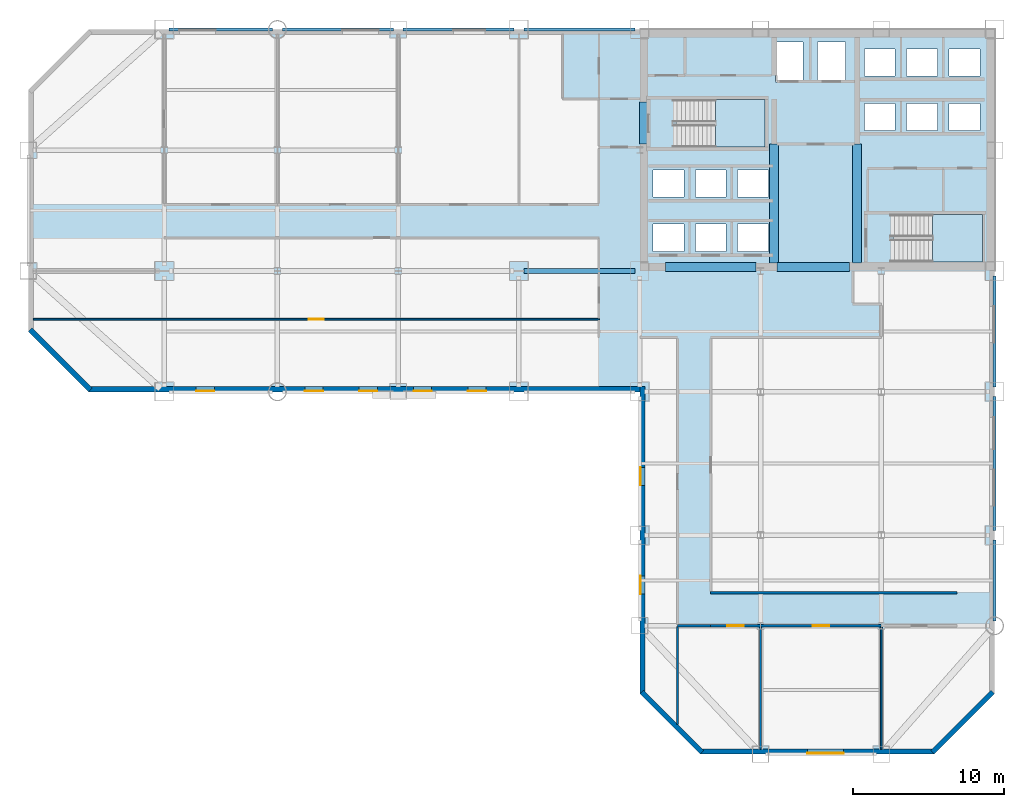
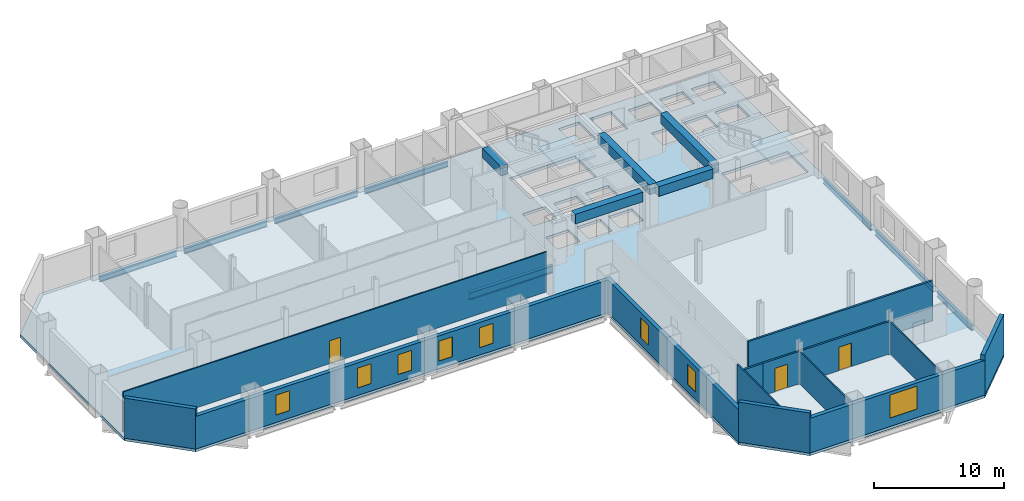
# One storey, part 4 of 9: 14 walls, 13 beams, 8 windows, 3 doors, 3 slabs, 11 openings, 2 elements without a shape of their own.
"""IFC4 building model written with IfcOpenShell, lengths in metres."""

from ifc_helpers import new_model, si_unit, direction, frame, frame_2d, origin, origin_2d, place, context, subcontext, project, spatial, polyline, rectangle, i_section, outline, extrude, material, layer, layer_set, material_profile, profile_set, type_object, element, fill, aggregate, save


model = new_model("IFC4")

# Units and contexts
model_context = context("Model", 3, precision=1e-05, world=origin(), true_north=direction((0.0, 1.0)))
body_context = subcontext(model_context, "Body", "Model", "MODEL_VIEW")
ifc_project = project(units=[si_unit("LENGTHUNIT", "METRE"), si_unit("AREAUNIT", "SQUARE_METRE"), si_unit("VOLUMEUNIT", "CUBIC_METRE"), si_unit("PLANEANGLEUNIT", "RADIAN"), si_unit("MASSUNIT", "GRAM", prefix="KILO")], contexts=[model_context])

# Site, building, storey
site_placement = place(None, origin())
site = spatial("IfcSite", under=ifc_project, at=site_placement, CompositionType="ELEMENT")
building_placement = place(site_placement, origin())
building = spatial("IfcBuilding", under=site, at=building_placement, Name="Qianrong Seaharbour Tower", CompositionType="ELEMENT")
storey_placement = place(building_placement, frame((0.0, 0.0, 48.199951171875)))
storey = spatial("IfcBuildingStorey", under=building, at=storey_placement, Name="L11", CompositionType="ELEMENT", Elevation=48.199951171875)

# Beams
ifc_material_1 = material(Name="Structural steel SN490B", Category="steel")
ifc_material_profile_1 = material_profile(ifc_material_1, i_section(OverallWidth=0.300048828125, OverallDepth=0.699951171875, WebThickness=0.012939453125, FlangeThickness=0.02392578125, FilletRadius=0.02587890625, at=origin_2d()), Name="H700x300x13x24")
ifc_profile_set_1 = profile_set([ifc_material_profile_1], Name="Structural steel SN490B")
beam_type_1 = type_object("IfcBeamType", Name="BM-G-700", PredefinedType="BEAM", material=ifc_profile_set_1)
beam_1_placement = place(storey_placement, frame((32.820068359375, 36.0, -0.599853515625), z_axis=(1.0, 0.0, 0.0), x_axis=(0.0, 1.0, 0.0)))
element("IfcBeam", 1, at=beam_1_placement, inside=storey, type_object=beam_type_1, Name="L11 Primary Girder GF G5-G6", PredefinedType="BEAM", context=body_context, shape_type="SweptSolid", body=[
    extrude(i_section(OverallWidth=0.300048828125, OverallDepth=0.699951171875, WebThickness=0.012939453125, FlangeThickness=0.02392578125, FilletRadius=0.02587890625, at=origin_2d()), origin(), (0.0, 0.0, 1.0), 7.35986328125),
])
ifc_material_2 = material(Name="Concrete C70/85", Category="concrete")
ifc_material_profile_2 = material_profile(ifc_material_2, rectangle(XDim=0.60009765625, YDim=0.89990234375, at=origin_2d()), Name="RC600x900")
ifc_profile_set_2 = profile_set([ifc_material_profile_2], Name="Concrete C70/85")
beam_type_2 = type_object("IfcBeamType", Name="BM-LINTEL-900", PredefinedType="LINTEL", material=ifc_profile_set_2)
beam_2_placement = place(storey_placement, frame((40.77001953125, 44.39990234375, 3.300048828125), z_axis=(0.0, 1.0, 0.0), x_axis=(-1.0, 0.0, 0.0)))
element("IfcBeam", 2, at=beam_2_placement, inside=storey, type_object=beam_type_2, Name="L11 Core Coupling Lintel Beam West", PredefinedType="LINTEL", context=body_context, shape_type="SweptSolid", body=[
    extrude(rectangle(XDim=0.60009765625, YDim=0.89990234375, at=origin_2d()), origin(), (0.0, 0.0, 1.0), 2.800048828125),
])
beam_3_placement = place(storey_placement, frame((42.199951171875, 36.27001953125, 3.300048828125), z_axis=(1.0, 0.0, 0.0), x_axis=(0.0, 1.0, 0.0)))
element("IfcBeam", 3, at=beam_3_placement, inside=storey, type_object=beam_type_2, Name="L11 Core Coupling Lintel Beam CBW", PredefinedType="LINTEL", context=body_context, shape_type="SweptSolid", body=[
    extrude(rectangle(XDim=0.60009765625, YDim=0.89990234375, at=origin_2d()), origin(), (0.0, 0.0, 1.0), 6.0),
])
beam_4_placement = place(storey_placement, frame((49.60009765625, 36.27001953125, 3.300048828125), z_axis=(1.0, 0.0, 0.0), x_axis=(0.0, 1.0, 0.0)))
element("IfcBeam", 4, at=beam_4_placement, inside=storey, type_object=beam_type_2, Name="L11 Core Coupling Lintel Beam CBC", PredefinedType="LINTEL", context=body_context, shape_type="SweptSolid", body=[
    extrude(rectangle(XDim=0.60009765625, YDim=0.89990234375, at=origin_2d()), origin(), (0.0, 0.0, 1.0), 4.7998046875),
])
for number, where, z_axis, x_axis, name in (
    (5, (49.39990234375, 36.5400390625, 3.300048828125), (0.0, 1.0, 0.0), (-1.0, 0.0, 0.0), "L11 Internal Core Coupling Beam IW1"),
    (6, (54.89990234375, 36.5400390625, 3.300048828125), (0.0, 1.0, 0.0), (-1.0, 0.0, 0.0), "L11 Internal Core Coupling Beam IW2"),
):
    element("IfcBeam", number, at=place(storey_placement, frame(where, z_axis=z_axis, x_axis=x_axis)), inside=storey, type_object=beam_type_2, Name=name, PredefinedType="LINTEL", context=body_context, shape_type="SweptSolid", body=[
        extrude(rectangle(XDim=0.60009765625, YDim=0.89990234375, at=origin_2d()), origin(), (0.0, 0.0, 1.0), 7.85986328125),
    ])
ifc_material_profile_3 = material_profile(ifc_material_1, i_section(OverallWidth=0.199951171875, OverallDepth=0.5, WebThickness=0.010009765625, FlangeThickness=0.01611328125, FilletRadius=0.02001953125, at=origin_2d()), Name="H500x200x10x16")
ifc_profile_set_3 = profile_set([ifc_material_profile_3], Name="Structural steel SN490B")
beam_type_3 = type_object("IfcBeamType", Name="BM-SP-500", PredefinedType="SPANDREL", material=ifc_profile_set_3)
beam_5_placement = place(storey_placement, frame((9.320068359375, 52.0, -0.5), z_axis=(1.0, 0.0, 0.0), x_axis=(0.0, 1.0, 0.0)))
element("IfcBeam", 7, at=beam_5_placement, inside=storey, type_object=beam_type_3, Name="L11 Spandrel Girder GH G2-G3", PredefinedType="SPANDREL", context=body_context, shape_type="SweptSolid", body=[
    extrude(i_section(OverallWidth=0.199951171875, OverallDepth=0.5, WebThickness=0.010009765625, FlangeThickness=0.01611328125, FilletRadius=0.02001953125, at=origin_2d()), origin(), (0.0, 0.0, 1.0), 6.85986328125),
])
for number, where, z_axis, x_axis, name in (
    (8, (16.820068359375, 52.0, -0.5), (1.0, 0.0, 0.0), (0.0, 1.0, 0.0), "L11 Spandrel Girder GH G3-G4"),
    (9, (24.820068359375, 52.0, -0.5), (1.0, 0.0, 0.0), (0.0, 1.0, 0.0), "L11 Spandrel Girder GH G4-G5"),
    (10, (32.820068359375, 52.0, -0.5), (1.0, 0.0, 0.0), (0.0, 1.0, 0.0), "L11 Spandrel Girder GH G5-G6"),
):
    element("IfcBeam", number, at=place(storey_placement, frame(where, z_axis=z_axis, x_axis=x_axis)), inside=storey, type_object=beam_type_3, Name=name, PredefinedType="SPANDREL", context=body_context, shape_type="SweptSolid", body=[
        extrude(i_section(OverallWidth=0.199951171875, OverallDepth=0.5, WebThickness=0.010009765625, FlangeThickness=0.01611328125, FilletRadius=0.02001953125, at=origin_2d()), origin(), (0.0, 0.0, 1.0), 7.35986328125),
    ])
beam_6_placement = place(storey_placement, frame((64.0, 12.820068359375, -0.5), z_axis=(0.0, 1.0, 0.0), x_axis=(-1.0, 0.0, 0.0)))
element("IfcBeam", 11, at=beam_6_placement, inside=storey, type_object=beam_type_3, Name="L11 Spandrel Girder G9 GC-GD", PredefinedType="SPANDREL", context=body_context, shape_type="SweptSolid", body=[
    extrude(i_section(OverallWidth=0.199951171875, OverallDepth=0.5, WebThickness=0.010009765625, FlangeThickness=0.01611328125, FilletRadius=0.02001953125, at=origin_2d()), origin(), (0.0, 0.0, 1.0), 5.35986328125),
])
beam_7_placement = place(storey_placement, frame((64.0, 18.820068359375, -0.5), z_axis=(0.0, 1.0, 0.0), x_axis=(-1.0, 0.0, 0.0)))
element("IfcBeam", 12, at=beam_7_placement, inside=storey, type_object=beam_type_3, Name="L11 Spandrel Girder G9 GD-GE", PredefinedType="SPANDREL", context=body_context, shape_type="SweptSolid", body=[
    extrude(i_section(OverallWidth=0.199951171875, OverallDepth=0.5, WebThickness=0.010009765625, FlangeThickness=0.01611328125, FilletRadius=0.02001953125, at=origin_2d()), origin(), (0.0, 0.0, 1.0), 8.85986328125),
])
beam_8_placement = place(storey_placement, frame((64.0, 28.320068359375, -0.5), z_axis=(0.0, 1.0, 0.0), x_axis=(-1.0, 0.0, 0.0)))
element("IfcBeam", 13, at=beam_8_placement, inside=storey, type_object=beam_type_3, Name="L11 Spandrel Girder G9 GE-GF", PredefinedType="SPANDREL", context=body_context, shape_type="SweptSolid", body=[
    extrude(i_section(OverallWidth=0.199951171875, OverallDepth=0.5, WebThickness=0.010009765625, FlangeThickness=0.01611328125, FilletRadius=0.02001953125, at=origin_2d()), origin(), (0.0, 0.0, 1.0), 7.35986328125),
])

# Stair, slab
ifc_material_3 = material(Name="Concrete C50/60", Category="concrete")
stair_type = type_object("IfcStairType", Name="STAIR-DOGLEG-1500-R22", PredefinedType="HALF_TURN_STAIR", material=ifc_material_3)
stair_1_placement = place(storey_placement, origin())
stair_1 = element("IfcStair", 14, at=stair_1_placement, inside=storey, type_object=stair_type, Name="L11 Protected Escape Stair ST-1", PredefinedType="HALF_TURN_STAIR")
ifc_layer_1 = layer(ifc_material_3, 0.199951171875)
ifc_layer_set_1 = layer_set([ifc_layer_1], Name="Concrete C50/60")
slab_type_1 = type_object("IfcSlabType", Name="SLAB-STAIR-LANDING-200", PredefinedType="LANDING", material=ifc_layer_set_1)
slab_1_placement = place(storey_placement, frame((0.0, 0.0, 1.800048828125)))
slab_1 = element("IfcSlab", 15, at=slab_1_placement, type_object=slab_type_1, Name="ST-1 landing 1", PredefinedType="LANDING", context=body_context, shape_type="SweptSolid", body=[
    extrude(outline(polyline([(45.5, 44.199951171875), (48.800048828125, 44.199951171875), (48.800048828125, 47.35009765625), (45.5, 47.35009765625), (45.5, 44.199951171875)])), origin(), (0.0, 0.0, 1.0), 0.199951171875),
])
aggregate(stair_1, [slab_1])

stair_2_placement = place(storey_placement, origin())
stair_2 = element("IfcStair", 16, at=stair_2_placement, inside=storey, type_object=stair_type, Name="L11 Protected Escape Stair ST-2", PredefinedType="HALF_TURN_STAIR")
slab_2_placement = place(storey_placement, frame((0.0, 0.0, 1.800048828125)))
slab_2 = element("IfcSlab", 17, at=slab_2_placement, type_object=slab_type_1, Name="ST-2 landing 1", PredefinedType="LANDING", context=body_context, shape_type="SweptSolid", body=[
    extrude(outline(polyline([(59.89990234375, 36.60009765625), (63.199951171875, 36.60009765625), (63.199951171875, 39.75), (59.89990234375, 39.75), (59.89990234375, 36.60009765625)])), origin(), (0.0, 0.0, 1.0), 0.199951171875),
])
aggregate(stair_2, [slab_2])

# Slab
ifc_layer_2 = layer(ifc_material_3, 0.25)
ifc_layer_set_2 = layer_set([ifc_layer_2], Name="Concrete C50/60")
slab_type_2 = type_object("IfcSlabType", Name="SLAB-Z1-250", PredefinedType="FLOOR", material=ifc_layer_set_2)
slab_3_placement = place(storey_placement, frame((0.0, 0.0, -0.25)))
element("IfcSlab", 18, at=slab_3_placement, inside=storey, type_object=slab_type_2, Name="L11 Structural Floor Slab", PredefinedType="FLOOR", context=body_context, shape_type="SweptSolid", body=[
    extrude(outline(polyline([(44.5, 4.0), (60.0, 4.0), (64.0, 8.0), (64.0, 52.0), (4.0, 52.0), (0.0, 48.0), (0.0, 32.0), (4.0, 28.0), (40.5, 28.0), (40.5, 8.0), (44.5, 4.0)]), holes=[polyline([(42.93994140625, 44.199951171875), (42.93994140625, 47.35009765625), (48.800048828125, 47.35009765625), (48.800048828125, 44.199951171875), (42.93994140625, 44.199951171875)]), polyline([(57.340087890625, 36.60009765625), (57.340087890625, 39.75), (63.199951171875, 39.75), (63.199951171875, 36.60009765625), (57.340087890625, 36.60009765625)]), polyline([(49.47998046875, 48.530029296875), (49.47998046875, 51.169921875), (51.320068359375, 51.169921875), (51.320068359375, 48.530029296875), (49.47998046875, 48.530029296875)]), polyline([(52.280029296875, 48.530029296875), (52.280029296875, 51.169921875), (54.1201171875, 51.169921875), (54.1201171875, 48.530029296875), (52.280029296875, 48.530029296875)]), polyline([(41.3798828125, 37.300048828125), (41.3798828125, 39.10009765625), (43.419921875, 39.10009765625), (43.419921875, 37.300048828125), (41.3798828125, 37.300048828125)]), polyline([(44.179931640625, 37.300048828125), (44.179931640625, 39.10009765625), (46.219970703125, 39.10009765625), (46.219970703125, 37.300048828125), (44.179931640625, 37.300048828125)]), polyline([(46.97998046875, 37.300048828125), (46.97998046875, 39.10009765625), (49.02001953125, 39.10009765625), (49.02001953125, 37.300048828125), (46.97998046875, 37.300048828125)]), polyline([(41.3798828125, 40.89990234375), (41.3798828125, 42.699951171875), (43.419921875, 42.699951171875), (43.419921875, 40.89990234375), (41.3798828125, 40.89990234375)]), polyline([(44.179931640625, 40.89990234375), (44.179931640625, 42.699951171875), (46.219970703125, 42.699951171875), (46.219970703125, 40.89990234375), (44.179931640625, 40.89990234375)]), polyline([(46.97998046875, 40.89990234375), (46.97998046875, 42.699951171875), (49.02001953125, 42.699951171875), (49.02001953125, 40.89990234375), (46.97998046875, 40.89990234375)]), polyline([(55.3798828125, 45.300048828125), (55.3798828125, 47.10009765625), (57.419921875, 47.10009765625), (57.419921875, 45.300048828125), (55.3798828125, 45.300048828125)]), polyline([(58.179931640625, 45.300048828125), (58.179931640625, 47.10009765625), (60.219970703125, 47.10009765625), (60.219970703125, 45.300048828125), (58.179931640625, 45.300048828125)]), polyline([(60.97998046875, 45.300048828125), (60.97998046875, 47.10009765625), (63.02001953125, 47.10009765625), (63.02001953125, 45.300048828125), (60.97998046875, 45.300048828125)]), polyline([(55.3798828125, 48.89990234375), (55.3798828125, 50.699951171875), (57.419921875, 50.699951171875), (57.419921875, 48.89990234375), (55.3798828125, 48.89990234375)]), polyline([(58.179931640625, 48.89990234375), (58.179931640625, 50.699951171875), (60.219970703125, 50.699951171875), (60.219970703125, 48.89990234375), (58.179931640625, 48.89990234375)]), polyline([(60.97998046875, 48.89990234375), (60.97998046875, 50.699951171875), (63.02001953125, 50.699951171875), (63.02001953125, 48.89990234375), (60.97998046875, 48.89990234375)])]), origin(), (0.0, 0.0, 1.0), 0.25),
])

# Walls
ifc_material_4 = material(Name="Fire-rated acoustic gypsum board partition")
ifc_layer_3 = layer(ifc_material_4, 0.1650390625)
ifc_layer_set_3 = layer_set([ifc_layer_3], Name="Fire-rated acoustic gypsum board partition")
wall_type_1 = type_object("IfcWallType", Name="WALL-CORR-PART-165", PredefinedType="PARTITIONING", material=ifc_layer_set_3)
wall_1_placement = place(storey_placement, frame((45.199951171875, 12.5, 0.0), z_axis=(0.0, 0.0, 1.0), x_axis=(-1.0, 0.0, 0.0)))
element("IfcWall", 19, at=wall_1_placement, inside=storey, type_object=wall_type_1, Name="L11 Interior Partition Wall 031", PredefinedType="PARTITIONING", context=body_context, shape_type="SweptSolid", body=[
    extrude(rectangle(XDim=2.199951171875, YDim=0.1650390625, at=frame_2d((1.10009765625, 0.0))), origin(), (0.0, 0.0, 1.0), 3.0419921875),
])
wall_2_placement = place(storey_placement, frame((45.199951171875, 14.699951171875, 0.0), z_axis=(0.0, 0.0, 1.0), x_axis=(1.0, 0.0, 0.0)))
element("IfcWall", 20, at=wall_2_placement, inside=storey, type_object=wall_type_1, Name="L11 Interior Partition Wall 032", PredefinedType="PARTITIONING", context=body_context, shape_type="SweptSolid", body=[
    extrude(rectangle(XDim=16.300048828125, YDim=0.1650390625, at=frame_2d((8.14990234375, 0.0))), origin(), (0.0, 0.0, 1.0), 3.75),
])

# Wall, opening, door
wall_3_placement = place(storey_placement, frame((48.5, 12.5, 0.0), z_axis=(0.0, 0.0, 1.0), x_axis=(-1.0, 0.0, 0.0)))
wall_3 = element("IfcWall", 21, at=wall_3_placement, inside=storey, type_object=wall_type_1, Name="L11 Interior Partition Wall 033", PredefinedType="PARTITIONING", context=body_context, shape_type="SweptSolid", body=[
    extrude(rectangle(XDim=3.300048828125, YDim=0.1650390625, at=frame_2d((1.64990234375, 0.0))), origin(), (0.0, 0.0, 1.0), 3.0419921875),
])
opening_1_placement = place(wall_3_placement, frame((1.10009765625, 0.0, 0.0)))
opening_1 = element("IfcOpeningElement", 22, at=opening_1_placement, cuts=wall_3, Name="Opening DM-01", PredefinedType="OPENING", context=body_context, shape_type="SweptSolid", body=[
    extrude(rectangle(XDim=1.10009765625, YDim=2.199951171875, at=frame_2d((0.550048828125, 1.10009765625))), frame((0.0, 0.092529296875, 0.0), z_axis=(0.0, -1.0, 0.0), x_axis=(1.0, 0.0, 0.0)), (0.0, 0.0, 1.0), 0.18505859375),
])
ifc_material_5 = material(Name="Acoustic timber and galvanized steel fire door assembly", Category="steel")
door_type_1 = type_object("IfcDoorType", Name="DOOR-MEET-1100x2200", OperationType="NOTDEFINED", PredefinedType="DOOR", material=ifc_material_5)
door_1_placement = place(opening_1_placement, origin())
door_1 = element("IfcDoor", 23, at=door_1_placement, inside=storey, type_object=door_type_1, Name="L11 Maritime Seminar Room 1 Door", OperationType="SINGLE_SWING_RIGHT", OverallHeight=2.199951171875, OverallWidth=1.10009765625, PredefinedType="DOOR", context=body_context, shape_type="SweptSolid", body=[
    extrude(rectangle(XDim=1.10009765625, YDim=2.199951171875, at=frame_2d((0.550048828125, 1.10009765625))), frame((0.0, 0.02490234375, 0.0), z_axis=(0.0, -1.0, 0.0), x_axis=(1.0, 0.0, 0.0)), (0.0, 0.0, 1.0), 0.050048828125),
])
fill(opening_1, door_1)

wall_4_placement = place(storey_placement, frame((56.5, 12.5, 0.0), z_axis=(0.0, 0.0, 1.0), x_axis=(-1.0, 0.0, 0.0)))
wall_4 = element("IfcWall", 24, at=wall_4_placement, inside=storey, type_object=wall_type_1, Name="L11 Interior Partition Wall 034", PredefinedType="PARTITIONING", context=body_context, shape_type="SweptSolid", body=[
    extrude(rectangle(XDim=8.0, YDim=0.1650390625, at=frame_2d((4.0, 0.0))), origin(), (0.0, 0.0, 1.0), 3.0419921875),
])
opening_2_placement = place(wall_4_placement, frame((3.449951171875, 0.0, 0.0)))
opening_2 = element("IfcOpeningElement", 25, at=opening_2_placement, cuts=wall_4, Name="Opening DM-01", PredefinedType="OPENING", context=body_context, shape_type="SweptSolid", body=[
    extrude(rectangle(XDim=1.10009765625, YDim=2.199951171875, at=frame_2d((0.550048828125, 1.10009765625))), frame((0.0, 0.092529296875, 0.0), z_axis=(0.0, -1.0, 0.0), x_axis=(1.0, 0.0, 0.0)), (0.0, 0.0, 1.0), 0.18505859375),
])
door_2_placement = place(opening_2_placement, origin())
door_2 = element("IfcDoor", 26, at=door_2_placement, inside=storey, type_object=door_type_1, Name="L11 Meeting Room 2 Door", OperationType="SINGLE_SWING_LEFT", OverallHeight=2.199951171875, OverallWidth=1.10009765625, PredefinedType="DOOR", context=body_context, shape_type="SweptSolid", body=[
    extrude(rectangle(XDim=1.10009765625, YDim=2.199951171875, at=frame_2d((0.550048828125, 1.10009765625))), frame((0.0, 0.02490234375, 0.0), z_axis=(0.0, -1.0, 0.0), x_axis=(1.0, 0.0, 0.0)), (0.0, 0.0, 1.0), 0.050048828125),
])
fill(opening_2, door_2)

# Wall
ifc_material_6 = material(Name="Demountable aluminium-framed acoustic office partition", Category="aluminium")
ifc_layer_4 = layer(ifc_material_6, 0.110107421875)
ifc_layer_set_4 = layer_set([ifc_layer_4], Name="Demountable aluminium-framed acoustic office partition")
wall_type_2 = type_object("IfcWallType", Name="WALL-DEMOUNT-110", PredefinedType="MOVABLE", material=ifc_layer_set_4)
wall_5_placement = place(storey_placement, frame((43.0, 12.425537109375, 0.0), z_axis=(0.0, 0.0, 1.0), x_axis=(0.0, -1.0, 0.0)))
element("IfcWall", 27, at=wall_5_placement, inside=storey, type_object=wall_type_2, Name="L11 Interior Partition Wall 036", PredefinedType="MOVABLE", context=body_context, shape_type="SweptSolid", body=[
    extrude(rectangle(XDim=6.4560546875, YDim=0.110107421875, at=frame_2d((3.22802734375, 0.0))), origin(), (0.0, 0.0, 1.0), 3.75),
])

# Wall, opening, door
wall_6_placement = place(storey_placement, frame((0.33203125, 32.800048828125, 0.0), z_axis=(0.0, 0.0, 1.0), x_axis=(1.0, 0.0, 0.0)))
wall_6 = element("IfcWall", 28, at=wall_6_placement, inside=storey, type_object=wall_type_2, Name="L11 Interior Partition Wall 041", PredefinedType="MOVABLE", context=body_context, shape_type="SweptSolid", body=[
    extrude(rectangle(XDim=37.468017578125, YDim=0.110107421875, at=frame_2d((18.73388671875, 0.0))), origin(), (0.0, 0.0, 1.0), 3.75),
])
opening_3_placement = place(wall_6_placement, frame((18.23388671875, 0.0, 0.0)))
opening_3 = element("IfcOpeningElement", 29, at=opening_3_placement, cuts=wall_6, Name="Opening DO-01", PredefinedType="OPENING", context=body_context, shape_type="SweptSolid", body=[
    extrude(rectangle(XDim=1.0, YDim=2.14990234375, at=frame_2d((0.5, 1.074951171875))), frame((0.0, 0.06494140625, 0.0), z_axis=(0.0, -1.0, 0.0), x_axis=(1.0, 0.0, 0.0)), (0.0, 0.0, 1.0), 0.130126953125),
])
door_type_2 = type_object("IfcDoorType", Name="DOOR-OFFICE-1000x2150", OperationType="NOTDEFINED", PredefinedType="DOOR", material=ifc_material_5)
door_3_placement = place(opening_3_placement, origin())
door_3 = element("IfcDoor", 30, at=door_3_placement, inside=storey, type_object=door_type_2, Name="L11 Harbour Lecture Hall 1 Door", OperationType="SINGLE_SWING_LEFT", OverallHeight=2.14990234375, OverallWidth=1.0, PredefinedType="DOOR", context=body_context, shape_type="SweptSolid", body=[
    extrude(rectangle(XDim=1.0, YDim=2.14990234375, at=frame_2d((0.5, 1.074951171875))), frame((0.0, 0.02490234375, 0.0), z_axis=(0.0, -1.0, 0.0), x_axis=(1.0, 0.0, 0.0)), (0.0, 0.0, 1.0), 0.050048828125),
])
fill(opening_3, door_3)

# Walls
for number, where, z_axis, x_axis, name in (
    (31, (48.5, 12.425537109375, 0.0), (0.0, 0.0, 1.0), (0.0, -1.0, 0.0), "L11 Interior Partition Wall 043"),
    (32, (56.5, 12.425537109375, 0.0), (0.0, 0.0, 1.0), (0.0, -1.0, 0.0), "L11 Interior Partition Wall 044"),
):
    element("IfcWall", number, at=place(storey_placement, frame(where, z_axis=z_axis, x_axis=x_axis)), inside=storey, type_object=wall_type_2, Name=name, PredefinedType="MOVABLE", context=body_context, shape_type="SweptSolid", body=[
        extrude(rectangle(XDim=8.093505859375, YDim=0.110107421875, at=frame_2d((4.046875, 0.0))), origin(), (0.0, 0.0, 1.0), 3.0419921875),
    ])

# Wall, openings, windows
ifc_material_7 = material(Name="Unitised buff brick on Precast concrete C45/55", Category="masonry")
ifc_layer_5 = layer(ifc_material_7, 0.340087890625)
ifc_layer_set_5 = layer_set([ifc_layer_5], Name="Unitised buff brick on Precast concrete C45/55")
wall_type_3 = type_object("IfcWallType", Name="WALL-EXT-BRICK-BUFF-340", PredefinedType="SOLIDWALL", material=ifc_layer_set_5)
wall_7_placement = place(storey_placement, frame((40.669921875, 8.0, 0.0), z_axis=(0.0, 0.0, 1.0), x_axis=(0.0, 1.0, 0.0)))
wall_7 = element("IfcWall", 33, at=wall_7_placement, inside=storey, type_object=wall_type_3, Name="L11 Exterior Masonry Facade Wall REENTRANT_WEST", PredefinedType="SOLIDWALL", context=body_context, shape_type="SweptSolid", body=[
    extrude(rectangle(XDim=20.340087890625, YDim=0.340087890625, at=frame_2d((10.169921875, 0.0))), origin(), (0.0, 0.0, 1.0), 3.050048828125),
])
opening_4_placement = place(wall_7_placement, frame((6.60009765625, 0.0, 0.699951171875)))
opening_4 = element("IfcOpeningElement", 34, at=opening_4_placement, cuts=wall_7, Name="Opening WN-01", PredefinedType="OPENING", context=body_context, shape_type="SweptSolid", body=[
    extrude(rectangle(XDim=1.199951171875, YDim=1.85009765625, at=frame_2d((0.60009765625, 0.925048828125))), frame((0.0, 0.18017578125, 0.0), z_axis=(0.0, -1.0, 0.0), x_axis=(1.0, 0.0, 0.0)), (0.0, 0.0, 1.0), 0.360107421875),
])
opening_5_placement = place(wall_7_placement, frame((13.800048828125, 0.0, 0.699951171875)))
opening_5 = element("IfcOpeningElement", 35, at=opening_5_placement, cuts=wall_7, Name="Opening WN-01", PredefinedType="OPENING", context=body_context, shape_type="SweptSolid", body=[
    extrude(rectangle(XDim=1.199951171875, YDim=1.85009765625, at=frame_2d((0.60009765625, 0.925048828125))), frame((0.0, 0.18017578125, 0.0), z_axis=(0.0, -1.0, 0.0), x_axis=(1.0, 0.0, 0.0)), (0.0, 0.0, 1.0), 0.360107421875),
])
ifc_material_8 = material(Name="Insulated low-e double glazing in thermally broken aluminium 6063-T6 frame", Category="aluminium")
window_type_1 = type_object("IfcWindowType", Name="WIN-PUNCH-1200x1850", PartitioningType="DOUBLE_PANEL_VERTICAL", PredefinedType="WINDOW", material=ifc_material_8)
window_1_placement = place(opening_4_placement, origin())
window_1 = element("IfcWindow", 36, at=window_1_placement, inside=storey, type_object=window_type_1, Name="L11 Deep-Set Punched Window 00.02", OverallHeight=1.85009765625, OverallWidth=1.199951171875, PartitioningType="DOUBLE_PANEL_VERTICAL", PredefinedType="WINDOW", context=body_context, shape_type="SweptSolid", body=[
    extrude(rectangle(XDim=1.199951171875, YDim=1.85009765625, at=frame_2d((0.60009765625, 0.925048828125))), frame((0.0, 0.150146484375, 0.0), z_axis=(0.0, -1.0, 0.0), x_axis=(1.0, 0.0, 0.0)), (0.0, 0.0, 1.0), 0.06005859375),
])
fill(opening_4, window_1)
window_2_placement = place(opening_5_placement, origin())
window_2 = element("IfcWindow", 37, at=window_2_placement, inside=storey, type_object=window_type_1, Name="L11 Deep-Set Punched Window 00.04", OverallHeight=1.85009765625, OverallWidth=1.199951171875, PartitioningType="DOUBLE_PANEL_VERTICAL", PredefinedType="WINDOW", context=body_context, shape_type="SweptSolid", body=[
    extrude(rectangle(XDim=1.199951171875, YDim=1.85009765625, at=frame_2d((0.60009765625, 0.925048828125))), frame((0.0, 0.150146484375, 0.0), z_axis=(0.0, -1.0, 0.0), x_axis=(1.0, 0.0, 0.0)), (0.0, 0.0, 1.0), 0.06005859375),
])
fill(opening_5, window_2)

wall_8_placement = place(storey_placement, frame((40.52001953125, 28.169921875, 0.0), z_axis=(0.0, 0.0, 1.0), x_axis=(-1.0, 0.0, 0.0)))
wall_8 = element("IfcWall", 38, at=wall_8_placement, inside=storey, type_object=wall_type_3, Name="L11 Exterior Masonry Facade Wall HARBOUR_RIBBON", PredefinedType="SOLIDWALL", context=body_context, shape_type="SweptSolid", body=[
    extrude(rectangle(XDim=36.52001953125, YDim=0.340087890625, at=frame_2d((18.260009765625, 0.0))), origin(), (0.0, 0.0, 1.0), 3.050048828125),
])
opening_6_placement = place(wall_8_placement, frame((10.199951171875, 0.0, 0.699951171875)))
opening_6 = element("IfcOpeningElement", 39, at=opening_6_placement, cuts=wall_8, Name="Opening WN-01", PredefinedType="OPENING", context=body_context, shape_type="SweptSolid", body=[
    extrude(rectangle(XDim=1.199951171875, YDim=1.85009765625, at=frame_2d((0.60009765625, 0.925048828125))), frame((0.0, 0.18017578125, 0.0), z_axis=(0.0, -1.0, 0.0), x_axis=(1.0, 0.0, 0.0)), (0.0, 0.0, 1.0), 0.360107421875),
])
opening_7_placement = place(wall_8_placement, frame((13.800048828125, 0.0, 0.699951171875)))
opening_7 = element("IfcOpeningElement", 40, at=opening_7_placement, cuts=wall_8, Name="Opening WN-01", PredefinedType="OPENING", context=body_context, shape_type="SweptSolid", body=[
    extrude(rectangle(XDim=1.199951171875, YDim=1.85009765625, at=frame_2d((0.60009765625, 0.925048828125))), frame((0.0, 0.18017578125, 0.0), z_axis=(0.0, -1.0, 0.0), x_axis=(1.0, 0.0, 0.0)), (0.0, 0.0, 1.0), 0.360107421875),
])
opening_8_placement = place(wall_8_placement, frame((17.39990234375, 0.0, 0.699951171875)))
opening_8 = element("IfcOpeningElement", 41, at=opening_8_placement, cuts=wall_8, Name="Opening WN-01", PredefinedType="OPENING", context=body_context, shape_type="SweptSolid", body=[
    extrude(rectangle(XDim=1.199951171875, YDim=1.85009765625, at=frame_2d((0.60009765625, 0.925048828125))), frame((0.0, 0.18017578125, 0.0), z_axis=(0.0, -1.0, 0.0), x_axis=(1.0, 0.0, 0.0)), (0.0, 0.0, 1.0), 0.360107421875),
])
opening_9_placement = place(wall_8_placement, frame((21.0, 0.0, 0.699951171875)))
opening_9 = element("IfcOpeningElement", 42, at=opening_9_placement, cuts=wall_8, Name="Opening WN-01", PredefinedType="OPENING", context=body_context, shape_type="SweptSolid", body=[
    extrude(rectangle(XDim=1.199951171875, YDim=1.85009765625, at=frame_2d((0.60009765625, 0.925048828125))), frame((0.0, 0.18017578125, 0.0), z_axis=(0.0, -1.0, 0.0), x_axis=(1.0, 0.0, 0.0)), (0.0, 0.0, 1.0), 0.360107421875),
])
opening_10_placement = place(wall_8_placement, frame((28.199951171875, 0.0, 0.699951171875)))
opening_10 = element("IfcOpeningElement", 43, at=opening_10_placement, cuts=wall_8, Name="Opening WN-01", PredefinedType="OPENING", context=body_context, shape_type="SweptSolid", body=[
    extrude(rectangle(XDim=1.199951171875, YDim=1.85009765625, at=frame_2d((0.60009765625, 0.925048828125))), frame((0.0, 0.18017578125, 0.0), z_axis=(0.0, -1.0, 0.0), x_axis=(1.0, 0.0, 0.0)), (0.0, 0.0, 1.0), 0.360107421875),
])
window_3_placement = place(opening_6_placement, origin())
window_3 = element("IfcWindow", 44, at=window_3_placement, inside=storey, type_object=window_type_1, Name="L11 Deep-Set Punched Window 01.03", OverallHeight=1.85009765625, OverallWidth=1.199951171875, PartitioningType="DOUBLE_PANEL_VERTICAL", PredefinedType="WINDOW", context=body_context, shape_type="SweptSolid", body=[
    extrude(rectangle(XDim=1.199951171875, YDim=1.85009765625, at=frame_2d((0.60009765625, 0.925048828125))), frame((0.0, 0.150146484375, 0.0), z_axis=(0.0, -1.0, 0.0), x_axis=(1.0, 0.0, 0.0)), (0.0, 0.0, 1.0), 0.06005859375),
])
fill(opening_6, window_3)
window_4_placement = place(opening_7_placement, origin())
window_4 = element("IfcWindow", 45, at=window_4_placement, inside=storey, type_object=window_type_1, Name="L11 Deep-Set Punched Window 01.04", OverallHeight=1.85009765625, OverallWidth=1.199951171875, PartitioningType="DOUBLE_PANEL_VERTICAL", PredefinedType="WINDOW", context=body_context, shape_type="SweptSolid", body=[
    extrude(rectangle(XDim=1.199951171875, YDim=1.85009765625, at=frame_2d((0.60009765625, 0.925048828125))), frame((0.0, 0.150146484375, 0.0), z_axis=(0.0, -1.0, 0.0), x_axis=(1.0, 0.0, 0.0)), (0.0, 0.0, 1.0), 0.06005859375),
])
fill(opening_7, window_4)
window_5_placement = place(opening_8_placement, origin())
window_5 = element("IfcWindow", 46, at=window_5_placement, inside=storey, type_object=window_type_1, Name="L11 Deep-Set Punched Window 01.05", OverallHeight=1.85009765625, OverallWidth=1.199951171875, PartitioningType="DOUBLE_PANEL_VERTICAL", PredefinedType="WINDOW", context=body_context, shape_type="SweptSolid", body=[
    extrude(rectangle(XDim=1.199951171875, YDim=1.85009765625, at=frame_2d((0.60009765625, 0.925048828125))), frame((0.0, 0.150146484375, 0.0), z_axis=(0.0, -1.0, 0.0), x_axis=(1.0, 0.0, 0.0)), (0.0, 0.0, 1.0), 0.06005859375),
])
fill(opening_8, window_5)
window_6_placement = place(opening_9_placement, origin())
window_6 = element("IfcWindow", 47, at=window_6_placement, inside=storey, type_object=window_type_1, Name="L11 Deep-Set Punched Window 01.06", OverallHeight=1.85009765625, OverallWidth=1.199951171875, PartitioningType="DOUBLE_PANEL_VERTICAL", PredefinedType="WINDOW", context=body_context, shape_type="SweptSolid", body=[
    extrude(rectangle(XDim=1.199951171875, YDim=1.85009765625, at=frame_2d((0.60009765625, 0.925048828125))), frame((0.0, 0.150146484375, 0.0), z_axis=(0.0, -1.0, 0.0), x_axis=(1.0, 0.0, 0.0)), (0.0, 0.0, 1.0), 0.06005859375),
])
fill(opening_9, window_6)
window_7_placement = place(opening_10_placement, origin())
window_7 = element("IfcWindow", 48, at=window_7_placement, inside=storey, type_object=window_type_1, Name="L11 Deep-Set Punched Window 01.08", OverallHeight=1.85009765625, OverallWidth=1.199951171875, PartitioningType="DOUBLE_PANEL_VERTICAL", PredefinedType="WINDOW", context=body_context, shape_type="SweptSolid", body=[
    extrude(rectangle(XDim=1.199951171875, YDim=1.85009765625, at=frame_2d((0.60009765625, 0.925048828125))), frame((0.0, 0.150146484375, 0.0), z_axis=(0.0, -1.0, 0.0), x_axis=(1.0, 0.0, 0.0)), (0.0, 0.0, 1.0), 0.06005859375),
])
fill(opening_10, window_7)

# Walls
for number, where, z_axis, x_axis, name in (
    (49, (4.1201171875, 28.1201171875, 0.0), (0.0, 0.0, 1.0), (-0.707106781187, 0.707106781187, 0.0), "L11 Exterior Masonry Facade Wall E02"),
    (50, (63.8798828125, 8.1201171875, 0.0), (0.0, 0.0, 1.0), (-0.707106781187, -0.707106781187, 0.0), "L11 Exterior Masonry Facade Wall E07"),
):
    element("IfcWall", number, at=place(storey_placement, frame(where, z_axis=z_axis, x_axis=x_axis)), inside=storey, type_object=wall_type_3, Name=name, PredefinedType="SOLIDWALL", context=body_context, shape_type="SweptSolid", body=[
        extrude(rectangle(XDim=5.65673828125, YDim=0.340087890625, at=frame_2d((2.828369140625, 0.0))), origin(), (0.0, 0.0, 1.0), 3.75),
    ])

# Wall, opening, window
wall_9_placement = place(storey_placement, frame((60.0, 4.169921875, 0.0), z_axis=(0.0, 0.0, 1.0), x_axis=(-1.0, 0.0, 0.0)))
wall_9 = element("IfcWall", 51, at=wall_9_placement, inside=storey, type_object=wall_type_3, Name="L11 Exterior Masonry Facade Wall SOUTH_TIP", PredefinedType="SOLIDWALL", context=body_context, shape_type="SweptSolid", body=[
    extrude(rectangle(XDim=15.5, YDim=0.340087890625, at=frame_2d((7.75, 0.0))), origin(), (0.0, 0.0, 1.0), 3.25),
])
opening_11_placement = place(wall_9_placement, frame((6.0, 0.0, 0.800048828125)))
opening_11 = element("IfcOpeningElement", 52, at=opening_11_placement, cuts=wall_9, Name="Opening WN-07", PredefinedType="OPENING", context=body_context, shape_type="SweptSolid", body=[
    extrude(rectangle(XDim=2.39990234375, YDim=2.14990234375, at=frame_2d((1.199951171875, 1.074951171875))), frame((0.0, 0.18017578125, 0.0), z_axis=(0.0, -1.0, 0.0), x_axis=(1.0, 0.0, 0.0)), (0.0, 0.0, 1.0), 0.360107421875),
])
window_type_2 = type_object("IfcWindowType", Name="WIN-PUNCH-2400x2150", PartitioningType="TRIPLE_PANEL_VERTICAL", PredefinedType="WINDOW", material=ifc_material_8)
window_8_placement = place(opening_11_placement, origin())
window_8 = element("IfcWindow", 53, at=window_8_placement, inside=storey, type_object=window_type_2, Name="L11 Deep-Set Punched Window 08.02", OverallHeight=2.14990234375, OverallWidth=2.39990234375, PartitioningType="TRIPLE_PANEL_VERTICAL", PredefinedType="WINDOW", context=body_context, shape_type="SweptSolid", body=[
    extrude(rectangle(XDim=2.39990234375, YDim=2.14990234375, at=frame_2d((1.199951171875, 1.074951171875))), frame((0.0, 0.150146484375, 0.0), z_axis=(0.0, -1.0, 0.0), x_axis=(1.0, 0.0, 0.0)), (0.0, 0.0, 1.0), 0.06005859375),
])
fill(opening_11, window_8)

# Wall
wall_10_placement = place(storey_placement, frame((44.6201171875, 4.1201171875, 0.0), z_axis=(0.0, 0.0, 1.0), x_axis=(-0.707106781187, 0.707106781187, 0.0)))
element("IfcWall", 54, at=wall_10_placement, inside=storey, type_object=wall_type_3, Name="L11 Exterior Masonry Facade Wall E09", PredefinedType="SOLIDWALL", context=body_context, shape_type="SweptSolid", body=[
    extrude(rectangle(XDim=5.65673828125, YDim=0.340087890625, at=frame_2d((2.828369140625, 0.0))), origin(), (0.0, 0.0, 1.0), 3.75),
])

save(model, "model.ifc")
